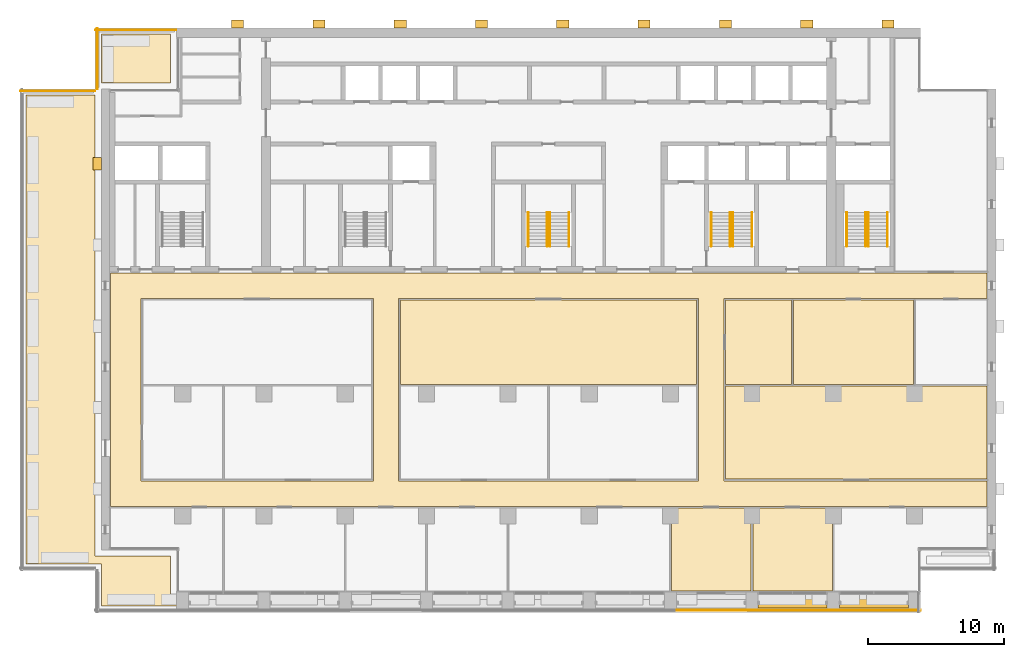
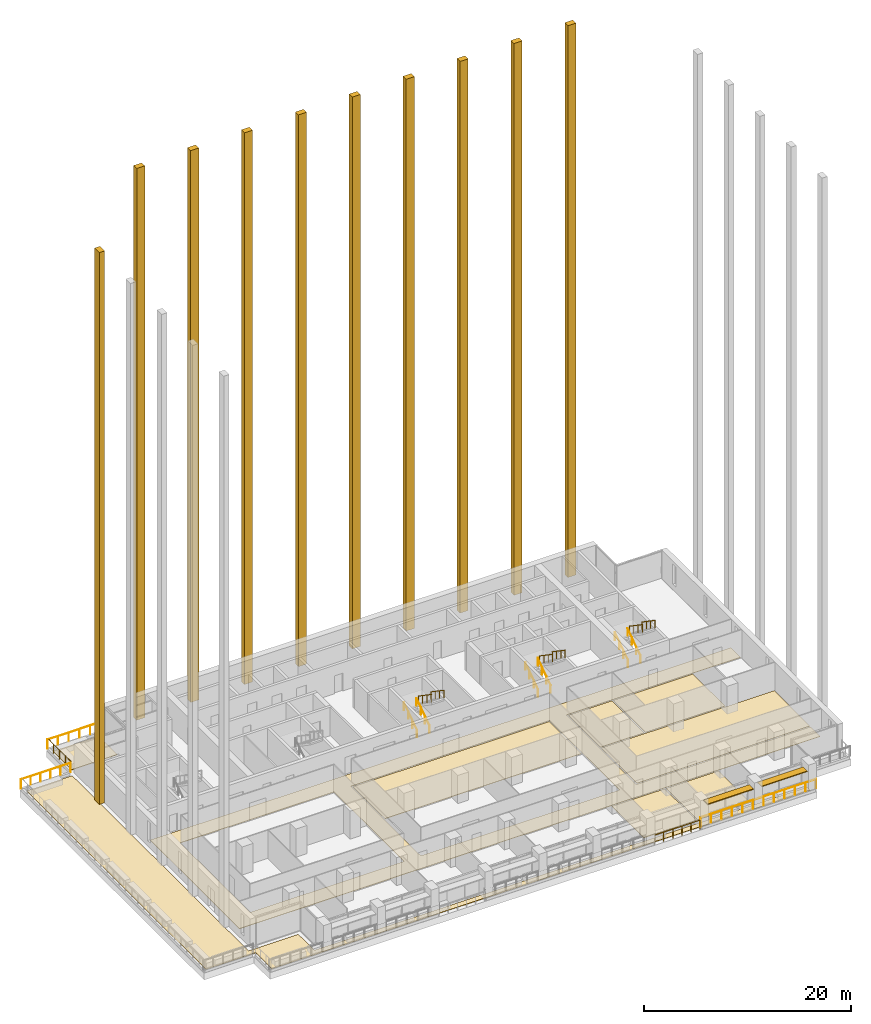
# One storey, part 17 of 19: 19 coverings, 17 railings, 2 shading devices, 3 elements without a shape of their own.
"""IFC4 building model written with IfcOpenShell, lengths in metres."""

from ifc_helpers import new_model, si_unit, direction, frame, origin, origin_2d, place, context, subcontext, project, spatial, polyline, rectangle, circle, outline, extrude, material, layer, layer_set, material_profile, profile_set, type_object, element, aggregate, save


model = new_model("IFC4")

# Units and contexts
model_context = context("Model", 3, precision=1e-05, world=origin(), true_north=direction((0.0, 1.0)))
body_context = subcontext(model_context, "Body", "Model", "MODEL_VIEW")
ifc_project = project(units=[si_unit("LENGTHUNIT", "METRE"), si_unit("AREAUNIT", "SQUARE_METRE"), si_unit("VOLUMEUNIT", "CUBIC_METRE"), si_unit("PLANEANGLEUNIT", "RADIAN"), si_unit("MASSUNIT", "GRAM", prefix="KILO")], contexts=[model_context])

# Site, building, storey
site_placement = place(None, origin())
site = spatial("IfcSite", under=ifc_project, at=site_placement, CompositionType="ELEMENT")
building_placement = place(site_placement, origin())
building = spatial("IfcBuilding", under=site, at=building_placement, Name="Calvaro Tower", CompositionType="ELEMENT")
storey_placement = place(building_placement, frame((0.0, 0.0, 166.75)))
storey = spatial("IfcBuildingStorey", under=building, at=storey_placement, Name="L41", CompositionType="ELEMENT", Elevation=166.75)

# Shading devices
ifc_material_1 = material(Name="Anodised aluminium", Category="aluminium")
ifc_material_profile = material_profile(ifc_material_1, rectangle(XDim=0.800048828125, YDim=0.10009765625, at=origin_2d()), Name="Brise-soleil blade 800 x 100")
ifc_profile_set = profile_set([ifc_material_profile], Name="Anodised aluminium")
shading_device_type = type_object("IfcShadingDeviceType", Name="Brise-soleil blade 800 x 100", PredefinedType="JALOUSIE", material=ifc_profile_set)
for number, where, z_axis, x_axis, name in (
    (1, (54.449951171875, 3.60009765625, 2.5), (1.0, 0.0, 0.0), (0.0, 1.0, 0.0), "Brise-soleil blade 8"),
    (2, (60.449951171875, 3.60009765625, 2.5), (1.0, 0.0, 0.0), (0.0, 1.0, 0.0), "Brise-soleil blade 9"),
):
    element("IfcShadingDevice", number, at=place(storey_placement, frame(where, z_axis=z_axis, x_axis=x_axis)), inside=storey, type_object=shading_device_type, Name=name, PredefinedType="JALOUSIE", context=body_context, shape_type="SweptSolid", body=[
        extrude(rectangle(XDim=0.800048828125, YDim=0.10009765625, at=origin_2d()), origin(), (0.0, 0.0, 1.0), 5.10009765625),
    ])

# Coverings
ifc_material_2 = material(Name="Cement screed with carpet tile finish")
ifc_layer_1 = layer(ifc_material_2, 0.050048828125)
ifc_layer_set_1 = layer_set([ifc_layer_1], Name="Cement screed with carpet tile finish")
covering_type_1 = type_object("IfcCoveringType", Name="Floor finish 50", PredefinedType="FLOORING", material=ifc_layer_set_1)
covering_1_placement = place(storey_placement, origin())
element("IfcCovering", 3, at=covering_1_placement, inside=storey, type_object=covering_type_1, Name="Floor finish 42.01", PredefinedType="FLOORING", context=body_context, shape_type="SweptSolid", body=[
    extrude(outline(polyline([(6.669921875, 10.719970703125), (6.669921875, 27.929931640625), (71.330078125, 27.929931640625), (71.330078125, 26.070068359375), (51.929931640625, 26.070068359375), (51.929931640625, 12.580078125), (71.330078125, 12.580078125), (71.330078125, 10.719970703125), (6.669921875, 10.719970703125)]), holes=[polyline([(50.070068359375, 26.070068359375), (27.929931640625, 26.070068359375), (27.929931640625, 12.580078125), (50.070068359375, 12.580078125), (50.070068359375, 26.070068359375)]), polyline([(26.070068359375, 12.580078125), (26.070068359375, 26.070068359375), (8.929931640625, 26.070068359375), (8.929931640625, 12.580078125), (26.070068359375, 12.580078125)])]), origin(), (0.0, 0.0, 1.0), 0.050048828125),
])
covering_2_placement = place(storey_placement, origin())
element("IfcCovering", 4, at=covering_2_placement, inside=storey, type_object=covering_type_1, Name="Floor finish 42.07", PredefinedType="FLOORING", context=body_context, shape_type="SweptSolid", body=[
    extrude(outline(polyline([(54.070068359375, 4.469970703125), (54.070068359375, 10.580078125), (59.929931640625, 10.580078125), (59.929931640625, 4.469970703125), (54.070068359375, 4.469970703125)])), origin(), (0.0, 0.0, 1.0), 0.050048828125),
])
covering_3_placement = place(storey_placement, origin())
element("IfcCovering", 5, at=covering_3_placement, inside=storey, type_object=covering_type_1, Name="Floor finish 42.16", PredefinedType="FLOORING", context=body_context, shape_type="SweptSolid", body=[
    extrude(outline(polyline([(49.929931640625, 19.719970703125), (28.070068359375, 19.719970703125), (28.070068359375, 25.929931640625), (49.929931640625, 25.929931640625), (49.929931640625, 19.719970703125)])), origin(), (0.0, 0.0, 1.0), 0.050048828125),
])
covering_4_placement = place(storey_placement, origin())
element("IfcCovering", 6, at=covering_4_placement, inside=storey, type_object=covering_type_1, Name="Floor finish 42.14", PredefinedType="FLOORING", context=body_context, shape_type="SweptSolid", body=[
    extrude(outline(polyline([(71.330078125, 19.580078125), (71.330078125, 12.719970703125), (52.070068359375, 12.719970703125), (52.070068359375, 19.580078125), (71.330078125, 19.580078125)])), origin(), (0.0, 0.0, 1.0), 0.050048828125),
])
covering_5_placement = place(storey_placement, origin())
element("IfcCovering", 7, at=covering_5_placement, inside=storey, type_object=covering_type_1, Name="Floor finish 42.17", PredefinedType="FLOORING", context=body_context, shape_type="SweptSolid", body=[
    extrude(outline(polyline([(56.929931640625, 19.719970703125), (52.070068359375, 19.719970703125), (52.070068359375, 25.929931640625), (56.929931640625, 25.929931640625), (56.929931640625, 19.719970703125)])), origin(), (0.0, 0.0, 1.0), 0.050048828125),
])
covering_6_placement = place(storey_placement, origin())
element("IfcCovering", 8, at=covering_6_placement, inside=storey, type_object=covering_type_1, Name="Floor finish 42.18", PredefinedType="FLOORING", context=body_context, shape_type="SweptSolid", body=[
    extrude(outline(polyline([(65.929931640625, 19.719970703125), (57.070068359375, 19.719970703125), (57.070068359375, 25.929931640625), (65.929931640625, 25.929931640625), (65.929931640625, 19.719970703125)])), origin(), (0.0, 0.0, 1.0), 0.050048828125),
])
covering_7_placement = place(storey_placement, origin())
element("IfcCovering", 9, at=covering_7_placement, inside=storey, type_object=covering_type_1, Name="Floor finish 42.06", PredefinedType="FLOORING", context=body_context, shape_type="SweptSolid", body=[
    extrude(outline(polyline([(53.929931640625, 10.580078125), (53.929931640625, 4.469970703125), (48.070068359375, 4.469970703125), (48.070068359375, 10.580078125), (53.929931640625, 10.580078125)])), origin(), (0.0, 0.0, 1.0), 0.050048828125),
])

# Railings
ifc_material_3 = material(Name="Stainless steel", Category="steel")
railing_type_1 = type_object("IfcRailingType", Name="Guard 1100", PredefinedType="GUARDRAIL", material=ifc_material_3)
railing_1_placement = place(storey_placement, frame((0.0, 41.35009765625, 0.300048828125)))
element("IfcRailing", 10, at=railing_1_placement, inside=storey, type_object=railing_type_1, Name="Terrace guard", PredefinedType="GUARDRAIL", context=body_context, shape_type="SweptSolid", body=[
    extrude(circle(Radius=0.02392578125, at=origin_2d()), frame((0.0, 0.0, 1.076171875), z_axis=(1.0, 0.0, 0.0), x_axis=(0.0, 1.0, 0.0)), (0.0, 0.0, 1.0), 5.550048828125),
    extrude(circle(Radius=0.02099609375, at=origin_2d()), frame((0.02099609375, 0.0, 0.0)), (0.0, 0.0, 1.0), 1.052001953125),
    extrude(circle(Radius=0.02099609375, at=origin_2d()), frame((1.110107421875, 0.0, 0.0)), (0.0, 0.0, 1.0), 1.052001953125),
    extrude(circle(Radius=0.02099609375, at=origin_2d()), frame((2.219970703125, 0.0, 0.0)), (0.0, 0.0, 1.0), 1.052001953125),
    extrude(circle(Radius=0.02099609375, at=origin_2d()), frame((3.330078125, 0.0, 0.0)), (0.0, 0.0, 1.0), 1.052001953125),
    extrude(circle(Radius=0.02099609375, at=origin_2d()), frame((4.43994140625, 0.0, 0.0)), (0.0, 0.0, 1.0), 1.052001953125),
    extrude(circle(Radius=0.02099609375, at=origin_2d()), frame((5.529052734375, 0.0, 0.0)), (0.0, 0.0, 1.0), 1.052001953125),
])
railing_2_placement = place(storey_placement, frame((5.699951171875, 41.5, 0.300048828125)))
element("IfcRailing", 11, at=railing_2_placement, inside=storey, type_object=railing_type_1, Name="Terrace guard", PredefinedType="GUARDRAIL", context=body_context, shape_type="SweptSolid", body=[
    extrude(circle(Radius=0.02392578125, at=origin_2d()), frame((0.0, 0.0, 1.076171875), z_axis=(0.0, 1.0, 0.0), x_axis=(-1.0, 0.0, 0.0)), (0.0, 0.0, 1.0), 4.5),
    extrude(circle(Radius=0.02099609375, at=origin_2d()), frame((0.0, 0.02099609375, 0.0)), (0.0, 0.0, 1.0), 1.052001953125),
    extrude(circle(Radius=0.02099609375, at=origin_2d()), frame((0.0, 1.125, 0.0)), (0.0, 0.0, 1.0), 1.052001953125),
    extrude(circle(Radius=0.02099609375, at=origin_2d()), frame((0.0, 2.25, 0.0)), (0.0, 0.0, 1.0), 1.052001953125),
    extrude(circle(Radius=0.02099609375, at=origin_2d()), frame((0.0, 3.375, 0.0)), (0.0, 0.0, 1.0), 1.052001953125),
    extrude(circle(Radius=0.02099609375, at=origin_2d()), frame((0.0, 4.47900390625, 0.0)), (0.0, 0.0, 1.0), 1.052001953125),
])
railing_3_placement = place(storey_placement, frame((5.550048828125, 45.85009765625, 0.300048828125)))
element("IfcRailing", 12, at=railing_3_placement, inside=storey, type_object=railing_type_1, Name="Terrace guard", PredefinedType="GUARDRAIL", context=body_context, shape_type="SweptSolid", body=[
    extrude(circle(Radius=0.02392578125, at=origin_2d()), frame((0.0, 0.0, 1.076171875), z_axis=(1.0, 0.0, 0.0), x_axis=(0.0, 1.0, 0.0)), (0.0, 0.0, 1.0), 5.97998046875),
    extrude(circle(Radius=0.02099609375, at=origin_2d()), frame((0.02099609375, 0.0, 0.0)), (0.0, 0.0, 1.0), 1.052001953125),
    extrude(circle(Radius=0.02099609375, at=origin_2d()), frame((1.196044921875, 0.0, 0.0)), (0.0, 0.0, 1.0), 1.052001953125),
    extrude(circle(Radius=0.02099609375, at=origin_2d()), frame((2.39208984375, 0.0, 0.0)), (0.0, 0.0, 1.0), 1.052001953125),
    extrude(circle(Radius=0.02099609375, at=origin_2d()), frame((3.587890625, 0.0, 0.0)), (0.0, 0.0, 1.0), 1.052001953125),
    extrude(circle(Radius=0.02099609375, at=origin_2d()), frame((4.783935546875, 0.0, 0.0)), (0.0, 0.0, 1.0), 1.052001953125),
    extrude(circle(Radius=0.02099609375, at=origin_2d()), frame((5.958984375, 0.0, 0.0)), (0.0, 0.0, 1.0), 1.052001953125),
])
railing_4_placement = place(storey_placement, frame((48.449951171875, 3.050048828125, 0.0)))
element("IfcRailing", 13, at=railing_4_placement, inside=storey, type_object=railing_type_1, Name="Terrace guard", PredefinedType="GUARDRAIL", context=body_context, shape_type="SweptSolid", body=[
    extrude(circle(Radius=0.02392578125, at=origin_2d()), frame((0.0, 0.0, 1.076171875), z_axis=(1.0, 0.0, 0.0), x_axis=(0.0, 1.0, 0.0)), (0.0, 0.0, 1.0), 5.10009765625),
    extrude(circle(Radius=0.02099609375, at=origin_2d()), frame((0.02099609375, 0.0, 0.0)), (0.0, 0.0, 1.0), 1.052001953125),
    extrude(circle(Radius=0.02099609375, at=origin_2d()), frame((1.02001953125, 0.0, 0.0)), (0.0, 0.0, 1.0), 1.052001953125),
    extrude(circle(Radius=0.02099609375, at=origin_2d()), frame((2.0400390625, 0.0, 0.0)), (0.0, 0.0, 1.0), 1.052001953125),
    extrude(circle(Radius=0.02099609375, at=origin_2d()), frame((3.06005859375, 0.0, 0.0)), (0.0, 0.0, 1.0), 1.052001953125),
    extrude(circle(Radius=0.02099609375, at=origin_2d()), frame((4.080078125, 0.0, 0.0)), (0.0, 0.0, 1.0), 1.052001953125),
    extrude(circle(Radius=0.02099609375, at=origin_2d()), frame((5.0791015625, 0.0, 0.0)), (0.0, 0.0, 1.0), 1.052001953125),
])
railing_5_placement = place(storey_placement, frame((53.550048828125, 3.050048828125, 0.300048828125)))
element("IfcRailing", 14, at=railing_5_placement, inside=storey, type_object=railing_type_1, Name="Terrace guard", PredefinedType="GUARDRAIL", context=body_context, shape_type="SweptSolid", body=[
    extrude(circle(Radius=0.02392578125, at=origin_2d()), frame((0.0, 0.0, 1.076171875), z_axis=(1.0, 0.0, 0.0), x_axis=(0.0, 1.0, 0.0)), (0.0, 0.0, 1.0), 12.89990234375),
    extrude(circle(Radius=0.02099609375, at=origin_2d()), frame((0.02099609375, 0.0, 0.0)), (0.0, 0.0, 1.0), 1.052001953125),
    extrude(circle(Radius=0.02099609375, at=origin_2d()), frame((1.172607421875, 0.0, 0.0)), (0.0, 0.0, 1.0), 1.052001953125),
    extrude(circle(Radius=0.02099609375, at=origin_2d()), frame((2.345458984375, 0.0, 0.0)), (0.0, 0.0, 1.0), 1.052001953125),
    extrude(circle(Radius=0.02099609375, at=origin_2d()), frame((3.51806640625, 0.0, 0.0)), (0.0, 0.0, 1.0), 1.052001953125),
    extrude(circle(Radius=0.02099609375, at=origin_2d()), frame((4.69091796875, 0.0, 0.0)), (0.0, 0.0, 1.0), 1.052001953125),
    extrude(circle(Radius=0.02099609375, at=origin_2d()), frame((5.863525390625, 0.0, 0.0)), (0.0, 0.0, 1.0), 1.052001953125),
    extrude(circle(Radius=0.02099609375, at=origin_2d()), frame((7.036376953125, 0.0, 0.0)), (0.0, 0.0, 1.0), 1.052001953125),
    extrude(circle(Radius=0.02099609375, at=origin_2d()), frame((8.208984375, 0.0, 0.0)), (0.0, 0.0, 1.0), 1.052001953125),
    extrude(circle(Radius=0.02099609375, at=origin_2d()), frame((9.3818359375, 0.0, 0.0)), (0.0, 0.0, 1.0), 1.052001953125),
    extrude(circle(Radius=0.02099609375, at=origin_2d()), frame((10.554443359375, 0.0, 0.0)), (0.0, 0.0, 1.0), 1.052001953125),
    extrude(circle(Radius=0.02099609375, at=origin_2d()), frame((11.727294921875, 0.0, 0.0)), (0.0, 0.0, 1.0), 1.052001953125),
    extrude(circle(Radius=0.02099609375, at=origin_2d()), frame((12.87890625, 0.0, 0.0)), (0.0, 0.0, 1.0), 1.052001953125),
])

# Stair, railings
ifc_material_4 = material(Name="Concrete C40/50", Category="concrete")
stair_type = type_object("IfcStairType", Name="Exit stair 1400 2 flights", PredefinedType="HALF_TURN_STAIR", material=ifc_material_4)
stair_1_placement = place(storey_placement, origin())
stair_1 = element("IfcStair", 15, at=stair_1_placement, inside=storey, type_object=stair_type, Name="Exit stair S3", PredefinedType="HALF_TURN_STAIR")
ifc_material_5 = material(Name="Stainless steel", Category="steel")
railing_type_2 = type_object("IfcRailingType", Name="Stair handrail", PredefinedType="HANDRAIL", material=ifc_material_5)
railing_6_placement = place(storey_placement, frame((38.89990234375, 29.89990234375, 0.17041015625)))
railing_6 = element("IfcRailing", 16, at=railing_6_placement, type_object=railing_type_2, Name="Exit stair 3 handrail", PredefinedType="HANDRAIL", context=body_context, shape_type="SweptSolid", body=[
    extrude(circle(Radius=0.02392578125, at=origin_2d()), frame((0.0, 0.0, 0.8759765625), z_axis=(0.0, 0.826220514629, 0.563346839174), x_axis=(-1.0, 0.0, 0.0)), (0.0, 0.0, 1.0), 3.02587890625),
    extrude(circle(Radius=0.02099609375, at=origin_2d()), frame((0.0, 0.017333984375, 0.01171875)), (0.0, 0.0, 1.0), 0.851806640625),
    extrude(circle(Radius=0.02099609375, at=origin_2d()), frame((0.0, 0.833251953125, 0.568115234375)), (0.0, 0.0, 1.0), 0.851806640625),
    extrude(circle(Radius=0.02099609375, at=origin_2d()), frame((0.0, 1.666748046875, 1.136474609375)), (0.0, 0.0, 1.0), 0.851806640625),
    extrude(circle(Radius=0.02099609375, at=origin_2d()), frame((0.0, 2.482666015625, 1.69287109375)), (0.0, 0.0, 1.0), 0.851806640625),
])
railing_7_placement = place(storey_placement, frame((37.5, 29.89990234375, 0.17041015625)))
railing_7 = element("IfcRailing", 17, at=railing_7_placement, type_object=railing_type_2, Name="Exit stair 3 handrail", PredefinedType="HANDRAIL", context=body_context, shape_type="SweptSolid", body=[
    extrude(circle(Radius=0.02392578125, at=origin_2d()), frame((0.0, 0.0, 0.8759765625), z_axis=(0.0, 0.826220514629, 0.563346839174), x_axis=(-1.0, 0.0, 0.0)), (0.0, 0.0, 1.0), 3.02587890625),
    extrude(circle(Radius=0.02099609375, at=origin_2d()), frame((0.0, 0.017333984375, 0.01171875)), (0.0, 0.0, 1.0), 0.851806640625),
    extrude(circle(Radius=0.02099609375, at=origin_2d()), frame((0.0, 0.833251953125, 0.568115234375)), (0.0, 0.0, 1.0), 0.851806640625),
    extrude(circle(Radius=0.02099609375, at=origin_2d()), frame((0.0, 1.666748046875, 1.136474609375)), (0.0, 0.0, 1.0), 0.851806640625),
    extrude(circle(Radius=0.02099609375, at=origin_2d()), frame((0.0, 2.482666015625, 1.69287109375)), (0.0, 0.0, 1.0), 0.851806640625),
])
railing_8_placement = place(storey_placement, frame((39.10009765625, 32.39990234375, 2.04541015625)))
railing_8 = element("IfcRailing", 18, at=railing_8_placement, type_object=railing_type_2, Name="Exit stair 3 handrail", PredefinedType="HANDRAIL", context=body_context, shape_type="SweptSolid", body=[
    extrude(circle(Radius=0.02392578125, at=origin_2d()), frame((0.0, 0.0, 0.8759765625), z_axis=(0.0, -0.826220514629, 0.563346839174), x_axis=(1.0, 0.0, 0.0)), (0.0, 0.0, 1.0), 3.02587890625),
    extrude(circle(Radius=0.02099609375, at=origin_2d()), frame((0.0, -0.017333984375, 0.01171875)), (0.0, 0.0, 1.0), 0.851806640625),
    extrude(circle(Radius=0.02099609375, at=origin_2d()), frame((0.0, -0.833251953125, 0.568115234375)), (0.0, 0.0, 1.0), 0.851806640625),
    extrude(circle(Radius=0.02099609375, at=origin_2d()), frame((0.0, -1.666748046875, 1.136474609375)), (0.0, 0.0, 1.0), 0.851806640625),
    extrude(circle(Radius=0.02099609375, at=origin_2d()), frame((0.0, -2.482666015625, 1.69287109375)), (0.0, 0.0, 1.0), 0.851806640625),
])
railing_9_placement = place(storey_placement, frame((40.5, 32.39990234375, 2.04541015625)))
railing_9 = element("IfcRailing", 19, at=railing_9_placement, type_object=railing_type_2, Name="Exit stair 3 handrail", PredefinedType="HANDRAIL", context=body_context, shape_type="SweptSolid", body=[
    extrude(circle(Radius=0.02392578125, at=origin_2d()), frame((0.0, 0.0, 0.8759765625), z_axis=(0.0, -0.826220514629, 0.563346839174), x_axis=(1.0, 0.0, 0.0)), (0.0, 0.0, 1.0), 3.02587890625),
    extrude(circle(Radius=0.02099609375, at=origin_2d()), frame((0.0, -0.017333984375, 0.01171875)), (0.0, 0.0, 1.0), 0.851806640625),
    extrude(circle(Radius=0.02099609375, at=origin_2d()), frame((0.0, -0.833251953125, 0.568115234375)), (0.0, 0.0, 1.0), 0.851806640625),
    extrude(circle(Radius=0.02099609375, at=origin_2d()), frame((0.0, -1.666748046875, 1.136474609375)), (0.0, 0.0, 1.0), 0.851806640625),
    extrude(circle(Radius=0.02099609375, at=origin_2d()), frame((0.0, -2.482666015625, 1.69287109375)), (0.0, 0.0, 1.0), 0.851806640625),
])
aggregate(stair_1, [railing_6, railing_7, railing_8, railing_9])

stair_2_placement = place(storey_placement, origin())
stair_2 = element("IfcStair", 20, at=stair_2_placement, inside=storey, type_object=stair_type, Name="Exit stair S4", PredefinedType="HALF_TURN_STAIR")
railing_10_placement = place(storey_placement, frame((52.39990234375, 29.89990234375, 0.17041015625)))
railing_10 = element("IfcRailing", 21, at=railing_10_placement, type_object=railing_type_2, Name="Exit stair 4 handrail", PredefinedType="HANDRAIL", context=body_context, shape_type="SweptSolid", body=[
    extrude(circle(Radius=0.02392578125, at=origin_2d()), frame((0.0, 0.0, 0.8759765625), z_axis=(0.0, 0.826220514629, 0.563346839174), x_axis=(-1.0, 0.0, 0.0)), (0.0, 0.0, 1.0), 3.02587890625),
    extrude(circle(Radius=0.02099609375, at=origin_2d()), frame((0.0, 0.017333984375, 0.01171875)), (0.0, 0.0, 1.0), 0.851806640625),
    extrude(circle(Radius=0.02099609375, at=origin_2d()), frame((0.0, 0.833251953125, 0.568115234375)), (0.0, 0.0, 1.0), 0.851806640625),
    extrude(circle(Radius=0.02099609375, at=origin_2d()), frame((0.0, 1.666748046875, 1.136474609375)), (0.0, 0.0, 1.0), 0.851806640625),
    extrude(circle(Radius=0.02099609375, at=origin_2d()), frame((0.0, 2.482666015625, 1.69287109375)), (0.0, 0.0, 1.0), 0.851806640625),
])
railing_11_placement = place(storey_placement, frame((51.0, 29.89990234375, 0.17041015625)))
railing_11 = element("IfcRailing", 22, at=railing_11_placement, type_object=railing_type_2, Name="Exit stair 4 handrail", PredefinedType="HANDRAIL", context=body_context, shape_type="SweptSolid", body=[
    extrude(circle(Radius=0.02392578125, at=origin_2d()), frame((0.0, 0.0, 0.8759765625), z_axis=(0.0, 0.826220514629, 0.563346839174), x_axis=(-1.0, 0.0, 0.0)), (0.0, 0.0, 1.0), 3.02587890625),
    extrude(circle(Radius=0.02099609375, at=origin_2d()), frame((0.0, 0.017333984375, 0.01171875)), (0.0, 0.0, 1.0), 0.851806640625),
    extrude(circle(Radius=0.02099609375, at=origin_2d()), frame((0.0, 0.833251953125, 0.568115234375)), (0.0, 0.0, 1.0), 0.851806640625),
    extrude(circle(Radius=0.02099609375, at=origin_2d()), frame((0.0, 1.666748046875, 1.136474609375)), (0.0, 0.0, 1.0), 0.851806640625),
    extrude(circle(Radius=0.02099609375, at=origin_2d()), frame((0.0, 2.482666015625, 1.69287109375)), (0.0, 0.0, 1.0), 0.851806640625),
])
railing_12_placement = place(storey_placement, frame((52.60009765625, 32.39990234375, 2.04541015625)))
railing_12 = element("IfcRailing", 23, at=railing_12_placement, type_object=railing_type_2, Name="Exit stair 4 handrail", PredefinedType="HANDRAIL", context=body_context, shape_type="SweptSolid", body=[
    extrude(circle(Radius=0.02392578125, at=origin_2d()), frame((0.0, 0.0, 0.8759765625), z_axis=(0.0, -0.826220514629, 0.563346839174), x_axis=(1.0, 0.0, 0.0)), (0.0, 0.0, 1.0), 3.02587890625),
    extrude(circle(Radius=0.02099609375, at=origin_2d()), frame((0.0, -0.017333984375, 0.01171875)), (0.0, 0.0, 1.0), 0.851806640625),
    extrude(circle(Radius=0.02099609375, at=origin_2d()), frame((0.0, -0.833251953125, 0.568115234375)), (0.0, 0.0, 1.0), 0.851806640625),
    extrude(circle(Radius=0.02099609375, at=origin_2d()), frame((0.0, -1.666748046875, 1.136474609375)), (0.0, 0.0, 1.0), 0.851806640625),
    extrude(circle(Radius=0.02099609375, at=origin_2d()), frame((0.0, -2.482666015625, 1.69287109375)), (0.0, 0.0, 1.0), 0.851806640625),
])
railing_13_placement = place(storey_placement, frame((54.0, 32.39990234375, 2.04541015625)))
railing_13 = element("IfcRailing", 24, at=railing_13_placement, type_object=railing_type_2, Name="Exit stair 4 handrail", PredefinedType="HANDRAIL", context=body_context, shape_type="SweptSolid", body=[
    extrude(circle(Radius=0.02392578125, at=origin_2d()), frame((0.0, 0.0, 0.8759765625), z_axis=(0.0, -0.826220514629, 0.563346839174), x_axis=(1.0, 0.0, 0.0)), (0.0, 0.0, 1.0), 3.02587890625),
    extrude(circle(Radius=0.02099609375, at=origin_2d()), frame((0.0, -0.017333984375, 0.01171875)), (0.0, 0.0, 1.0), 0.851806640625),
    extrude(circle(Radius=0.02099609375, at=origin_2d()), frame((0.0, -0.833251953125, 0.568115234375)), (0.0, 0.0, 1.0), 0.851806640625),
    extrude(circle(Radius=0.02099609375, at=origin_2d()), frame((0.0, -1.666748046875, 1.136474609375)), (0.0, 0.0, 1.0), 0.851806640625),
    extrude(circle(Radius=0.02099609375, at=origin_2d()), frame((0.0, -2.482666015625, 1.69287109375)), (0.0, 0.0, 1.0), 0.851806640625),
])
aggregate(stair_2, [railing_10, railing_11, railing_12, railing_13])

stair_3_placement = place(storey_placement, origin())
stair_3 = element("IfcStair", 25, at=stair_3_placement, inside=storey, type_object=stair_type, Name="Exit stair S5", PredefinedType="HALF_TURN_STAIR")
railing_14_placement = place(storey_placement, frame((62.39990234375, 29.89990234375, 0.17041015625)))
railing_14 = element("IfcRailing", 26, at=railing_14_placement, type_object=railing_type_2, Name="Exit stair 5 handrail", PredefinedType="HANDRAIL", context=body_context, shape_type="SweptSolid", body=[
    extrude(circle(Radius=0.02392578125, at=origin_2d()), frame((0.0, 0.0, 0.8759765625), z_axis=(0.0, 0.826220514629, 0.563346839174), x_axis=(-1.0, 0.0, 0.0)), (0.0, 0.0, 1.0), 3.02587890625),
    extrude(circle(Radius=0.02099609375, at=origin_2d()), frame((0.0, 0.017333984375, 0.01171875)), (0.0, 0.0, 1.0), 0.851806640625),
    extrude(circle(Radius=0.02099609375, at=origin_2d()), frame((0.0, 0.833251953125, 0.568115234375)), (0.0, 0.0, 1.0), 0.851806640625),
    extrude(circle(Radius=0.02099609375, at=origin_2d()), frame((0.0, 1.666748046875, 1.136474609375)), (0.0, 0.0, 1.0), 0.851806640625),
    extrude(circle(Radius=0.02099609375, at=origin_2d()), frame((0.0, 2.482666015625, 1.69287109375)), (0.0, 0.0, 1.0), 0.851806640625),
])
railing_15_placement = place(storey_placement, frame((61.0, 29.89990234375, 0.17041015625)))
railing_15 = element("IfcRailing", 27, at=railing_15_placement, type_object=railing_type_2, Name="Exit stair 5 handrail", PredefinedType="HANDRAIL", context=body_context, shape_type="SweptSolid", body=[
    extrude(circle(Radius=0.02392578125, at=origin_2d()), frame((0.0, 0.0, 0.8759765625), z_axis=(0.0, 0.826220514629, 0.563346839174), x_axis=(-1.0, 0.0, 0.0)), (0.0, 0.0, 1.0), 3.02587890625),
    extrude(circle(Radius=0.02099609375, at=origin_2d()), frame((0.0, 0.017333984375, 0.01171875)), (0.0, 0.0, 1.0), 0.851806640625),
    extrude(circle(Radius=0.02099609375, at=origin_2d()), frame((0.0, 0.833251953125, 0.568115234375)), (0.0, 0.0, 1.0), 0.851806640625),
    extrude(circle(Radius=0.02099609375, at=origin_2d()), frame((0.0, 1.666748046875, 1.136474609375)), (0.0, 0.0, 1.0), 0.851806640625),
    extrude(circle(Radius=0.02099609375, at=origin_2d()), frame((0.0, 2.482666015625, 1.69287109375)), (0.0, 0.0, 1.0), 0.851806640625),
])
railing_16_placement = place(storey_placement, frame((62.60009765625, 32.39990234375, 2.04541015625)))
railing_16 = element("IfcRailing", 28, at=railing_16_placement, type_object=railing_type_2, Name="Exit stair 5 handrail", PredefinedType="HANDRAIL", context=body_context, shape_type="SweptSolid", body=[
    extrude(circle(Radius=0.02392578125, at=origin_2d()), frame((0.0, 0.0, 0.8759765625), z_axis=(0.0, -0.826220514629, 0.563346839174), x_axis=(1.0, 0.0, 0.0)), (0.0, 0.0, 1.0), 3.02587890625),
    extrude(circle(Radius=0.02099609375, at=origin_2d()), frame((0.0, -0.017333984375, 0.01171875)), (0.0, 0.0, 1.0), 0.851806640625),
    extrude(circle(Radius=0.02099609375, at=origin_2d()), frame((0.0, -0.833251953125, 0.568115234375)), (0.0, 0.0, 1.0), 0.851806640625),
    extrude(circle(Radius=0.02099609375, at=origin_2d()), frame((0.0, -1.666748046875, 1.136474609375)), (0.0, 0.0, 1.0), 0.851806640625),
    extrude(circle(Radius=0.02099609375, at=origin_2d()), frame((0.0, -2.482666015625, 1.69287109375)), (0.0, 0.0, 1.0), 0.851806640625),
])
railing_17_placement = place(storey_placement, frame((64.0, 32.39990234375, 2.04541015625)))
railing_17 = element("IfcRailing", 29, at=railing_17_placement, type_object=railing_type_2, Name="Exit stair 5 handrail", PredefinedType="HANDRAIL", context=body_context, shape_type="SweptSolid", body=[
    extrude(circle(Radius=0.02392578125, at=origin_2d()), frame((0.0, 0.0, 0.8759765625), z_axis=(0.0, -0.826220514629, 0.563346839174), x_axis=(1.0, 0.0, 0.0)), (0.0, 0.0, 1.0), 3.02587890625),
    extrude(circle(Radius=0.02099609375, at=origin_2d()), frame((0.0, -0.017333984375, 0.01171875)), (0.0, 0.0, 1.0), 0.851806640625),
    extrude(circle(Radius=0.02099609375, at=origin_2d()), frame((0.0, -0.833251953125, 0.568115234375)), (0.0, 0.0, 1.0), 0.851806640625),
    extrude(circle(Radius=0.02099609375, at=origin_2d()), frame((0.0, -1.666748046875, 1.136474609375)), (0.0, 0.0, 1.0), 0.851806640625),
    extrude(circle(Radius=0.02099609375, at=origin_2d()), frame((0.0, -2.482666015625, 1.69287109375)), (0.0, 0.0, 1.0), 0.851806640625),
])
aggregate(stair_3, [railing_14, railing_15, railing_16, railing_17])

# Coverings
ifc_material_6 = material(Name="Reconstituted stone", Category="masonry")
ifc_layer_2 = layer(ifc_material_6, 0.60009765625)
ifc_layer_set_2 = layer_set([ifc_layer_2], Name="Reconstituted stone")
covering_type_2 = type_object("IfcCoveringType", Name="Stone pilaster 900 x 600", PredefinedType="CLADDING", material=ifc_layer_set_2)
covering_8_placement = place(storey_placement, frame((0.0, 0.0, 0.050048828125)))
element("IfcCovering", 30, at=covering_8_placement, inside=storey, type_object=covering_type_2, Name="Stone pilaster", PredefinedType="CLADDING", context=body_context, shape_type="SweptSolid", body=[
    extrude(outline(polyline([(15.60009765625, 46.0), (16.5, 46.0), (16.5, 46.60009765625), (15.60009765625, 46.60009765625), (15.60009765625, 46.0)])), origin(), (0.0, 0.0, 1.0), 64.949951171875),
])
covering_9_placement = place(storey_placement, frame((0.0, 0.0, 0.050048828125)))
element("IfcCovering", 31, at=covering_9_placement, inside=storey, type_object=covering_type_2, Name="Stone pilaster", PredefinedType="CLADDING", context=body_context, shape_type="SweptSolid", body=[
    extrude(outline(polyline([(21.60009765625, 46.0), (22.5, 46.0), (22.5, 46.60009765625), (21.60009765625, 46.60009765625), (21.60009765625, 46.0)])), origin(), (0.0, 0.0, 1.0), 64.949951171875),
])
covering_10_placement = place(storey_placement, frame((0.0, 0.0, 0.050048828125)))
element("IfcCovering", 32, at=covering_10_placement, inside=storey, type_object=covering_type_2, Name="Stone pilaster", PredefinedType="CLADDING", context=body_context, shape_type="SweptSolid", body=[
    extrude(outline(polyline([(27.60009765625, 46.0), (28.5, 46.0), (28.5, 46.60009765625), (27.60009765625, 46.60009765625), (27.60009765625, 46.0)])), origin(), (0.0, 0.0, 1.0), 64.949951171875),
])
covering_11_placement = place(storey_placement, frame((0.0, 0.0, 0.050048828125)))
element("IfcCovering", 33, at=covering_11_placement, inside=storey, type_object=covering_type_2, Name="Stone pilaster", PredefinedType="CLADDING", context=body_context, shape_type="SweptSolid", body=[
    extrude(outline(polyline([(33.60009765625, 46.0), (34.5, 46.0), (34.5, 46.60009765625), (33.60009765625, 46.60009765625), (33.60009765625, 46.0)])), origin(), (0.0, 0.0, 1.0), 64.949951171875),
])
covering_12_placement = place(storey_placement, frame((0.0, 0.0, 0.050048828125)))
element("IfcCovering", 34, at=covering_12_placement, inside=storey, type_object=covering_type_2, Name="Stone pilaster", PredefinedType="CLADDING", context=body_context, shape_type="SweptSolid", body=[
    extrude(outline(polyline([(39.60009765625, 46.0), (40.5, 46.0), (40.5, 46.60009765625), (39.60009765625, 46.60009765625), (39.60009765625, 46.0)])), origin(), (0.0, 0.0, 1.0), 64.949951171875),
])
covering_13_placement = place(storey_placement, frame((0.0, 0.0, 0.050048828125)))
element("IfcCovering", 35, at=covering_13_placement, inside=storey, type_object=covering_type_2, Name="Stone pilaster", PredefinedType="CLADDING", context=body_context, shape_type="SweptSolid", body=[
    extrude(outline(polyline([(45.60009765625, 46.0), (46.5, 46.0), (46.5, 46.60009765625), (45.60009765625, 46.60009765625), (45.60009765625, 46.0)])), origin(), (0.0, 0.0, 1.0), 64.949951171875),
])
covering_14_placement = place(storey_placement, frame((0.0, 0.0, 0.050048828125)))
element("IfcCovering", 36, at=covering_14_placement, inside=storey, type_object=covering_type_2, Name="Stone pilaster", PredefinedType="CLADDING", context=body_context, shape_type="SweptSolid", body=[
    extrude(outline(polyline([(51.60009765625, 46.0), (52.5, 46.0), (52.5, 46.60009765625), (51.60009765625, 46.60009765625), (51.60009765625, 46.0)])), origin(), (0.0, 0.0, 1.0), 64.949951171875),
])
covering_15_placement = place(storey_placement, frame((0.0, 0.0, 0.050048828125)))
element("IfcCovering", 37, at=covering_15_placement, inside=storey, type_object=covering_type_2, Name="Stone pilaster", PredefinedType="CLADDING", context=body_context, shape_type="SweptSolid", body=[
    extrude(outline(polyline([(57.60009765625, 46.0), (58.5, 46.0), (58.5, 46.60009765625), (57.60009765625, 46.60009765625), (57.60009765625, 46.0)])), origin(), (0.0, 0.0, 1.0), 64.949951171875),
])
covering_16_placement = place(storey_placement, frame((0.0, 0.0, 0.050048828125)))
element("IfcCovering", 38, at=covering_16_placement, inside=storey, type_object=covering_type_2, Name="Stone pilaster", PredefinedType="CLADDING", context=body_context, shape_type="SweptSolid", body=[
    extrude(outline(polyline([(63.60009765625, 46.0), (64.5, 46.0), (64.5, 46.60009765625), (63.60009765625, 46.60009765625), (63.60009765625, 46.0)])), origin(), (0.0, 0.0, 1.0), 64.949951171875),
])
covering_17_placement = place(storey_placement, frame((0.0, 0.0, 0.050048828125)))
element("IfcCovering", 39, at=covering_17_placement, inside=storey, type_object=covering_type_2, Name="Stone pilaster", PredefinedType="CLADDING", context=body_context, shape_type="SweptSolid", body=[
    extrude(outline(polyline([(5.39990234375, 35.550048828125), (6.0, 35.550048828125), (6.0, 36.449951171875), (5.39990234375, 36.449951171875), (5.39990234375, 35.550048828125)])), origin(), (0.0, 0.0, 1.0), 64.949951171875),
])
ifc_material_7 = material(Name="Single ply membrane")
ifc_layer_3 = layer(ifc_material_7, 0.050048828125)
ifc_layer_set_3 = layer_set([ifc_layer_3], Name="Single ply membrane")
covering_type_3 = type_object("IfcCoveringType", Name="Terrace roofing 50", PredefinedType="ROOFING", material=ifc_layer_set_3)
covering_18_placement = place(storey_placement, origin())
element("IfcCovering", 40, at=covering_18_placement, inside=storey, type_object=covering_type_3, Name="Terrace roofing", PredefinedType="ROOFING", context=body_context, shape_type="SweptSolid", body=[
    extrude(outline(polyline([(5.550048828125, 41.050048828125), (5.550048828125, 7.050048828125), (11.10009765625, 7.050048828125), (11.10009765625, 3.949951171875), (66.0, 3.949951171875), (66.0, 3.35009765625), (6.0, 3.35009765625), (6.0, 6.449951171875), (0.449951171875, 6.449951171875), (0.449951171875, 41.050048828125), (5.550048828125, 41.050048828125)])), origin(), (0.0, 0.0, 1.0), 0.050048828125),
])
covering_19_placement = place(storey_placement, origin())
element("IfcCovering", 41, at=covering_19_placement, inside=storey, type_object=covering_type_3, Name="Terrace roofing", PredefinedType="ROOFING", context=body_context, shape_type="SweptSolid", body=[
    extrude(outline(polyline([(6.0, 41.949951171875), (6.0, 45.550048828125), (11.10009765625, 45.550048828125), (11.10009765625, 41.949951171875), (6.0, 41.949951171875)])), origin(), (0.0, 0.0, 1.0), 0.050048828125),
])

save(model, "model.ifc")
